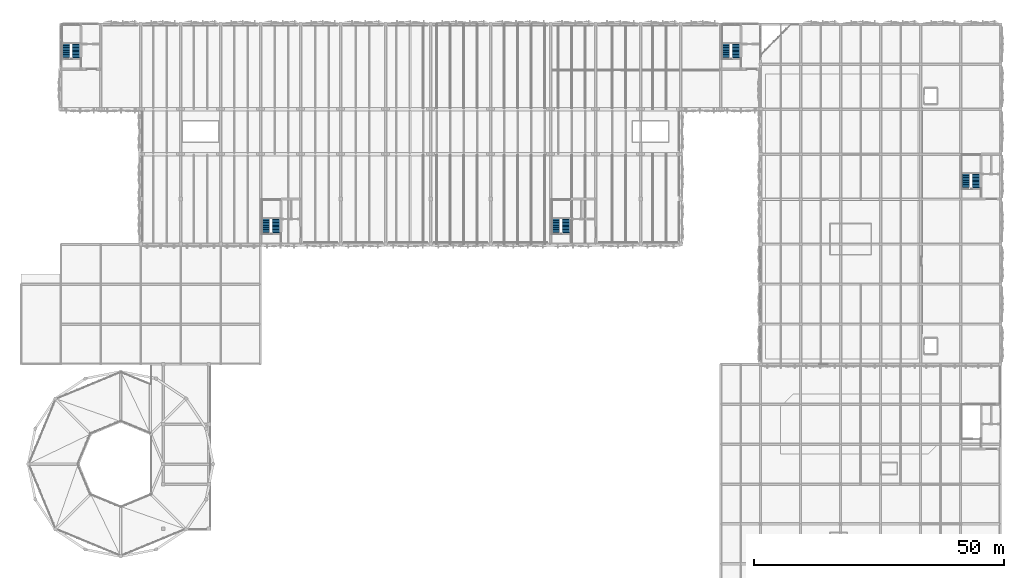
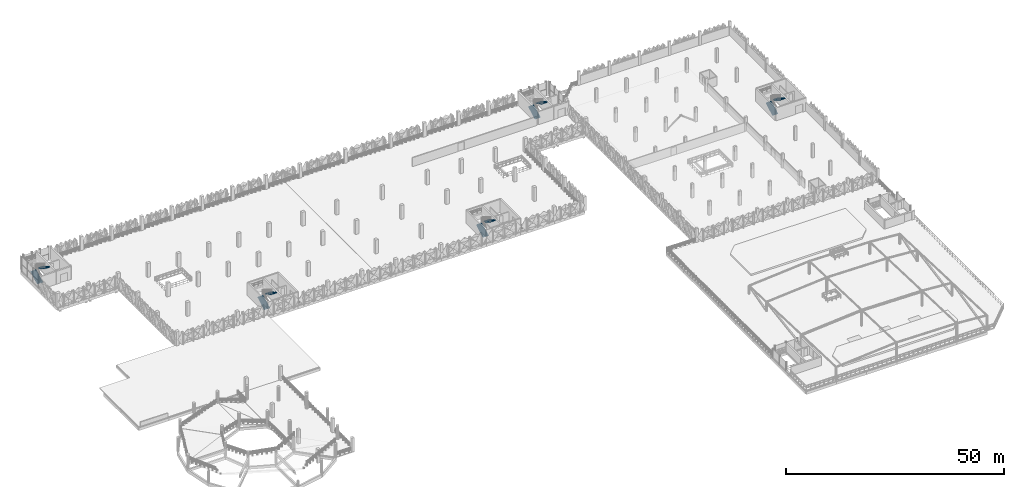
# One storey, part 46 of 76: 10 stair flights, 5 elements without a shape of their own.
"""IFC4 building model written with IfcOpenShell, lengths in metres."""

from ifc_helpers import new_model, si_unit, derived_unit, direction, frame, origin, place, context, subcontext, project, spatial, polyline, outline, extrude, material, type_object, element, aggregate, save


model = new_model("IFC4")

# Units and contexts
model_context = context("Model", 3, precision=1e-05, world=origin(), true_north=direction((0.0, 1.0)))
body_context = subcontext(model_context, "Body", "Model", "MODEL_VIEW")
ifc_project = project(units=[si_unit("LENGTHUNIT", "METRE"), si_unit("AREAUNIT", "SQUARE_METRE"), si_unit("VOLUMEUNIT", "CUBIC_METRE"), si_unit("PLANEANGLEUNIT", "RADIAN"), si_unit("MASSUNIT", "GRAM", prefix="KILO"), si_unit("THERMODYNAMICTEMPERATUREUNIT", "KELVIN"), derived_unit("THERMALTRANSMITTANCEUNIT", [(si_unit("POWERUNIT", "WATT"), 1), (si_unit("AREAUNIT", "SQUARE_METRE"), -1), (si_unit("THERMODYNAMICTEMPERATUREUNIT", "KELVIN"), -1)])], contexts=[model_context])

# Site, building, storey
site_placement = place(None, origin())
site = spatial("IfcSite", under=ifc_project, at=site_placement, CompositionType="ELEMENT")
building_placement = place(site_placement, origin())
building = spatial("IfcBuilding", under=site, at=building_placement, Name="Haiyu Intermodal Mobility Hub", CompositionType="ELEMENT")
storey_placement = place(building_placement, frame((0.0, 0.0, 17.300048828125)))
storey = spatial("IfcBuildingStorey", under=building, at=storey_placement, Name="L04", CompositionType="ELEMENT", Elevation=17.300048828125)

# Stair, stair flights
ifc_material = material(Name="Concrete C40", Category="concrete")
stair_type_1 = type_object("IfcStairType", Name="STR-ST02", PredefinedType="HALF_TURN_STAIR", material=ifc_material)
stair_1_placement = place(storey_placement, origin())
stair_1 = element("IfcStair", 1, at=stair_1_placement, inside=storey, type_object=stair_type_1, Name="Exit Stair ST01 L04", PredefinedType="HALF_TURN_STAIR")
stair_flight_type_1 = type_object("IfcStairFlightType", Name="SFL-ST02", PredefinedType="STRAIGHT", material=ifc_material)
stair_flight_1_placement = place(storey_placement, frame((63.090087890625, 106.050048828125, 0.0), z_axis=(0.0, 0.0, 1.0), x_axis=(0.0, 1.0, 0.0)))
stair_flight_1 = element("IfcStairFlight", 2, at=stair_flight_1_placement, type_object=stair_flight_type_1, Name="Stair Flight STR-C5-L04-F1", NumberOfRisers=12, NumberOfTreads=11, PredefinedType="STRAIGHT", RiserHeight=0.1625, TreadLength=0.28, context=body_context, shape_type="SweptSolid", body=[
    extrude(outline(polyline([(0.0, 0.0), (0.0, 0.16259765625), (0.280029296875, 0.16259765625), (0.280029296875, 0.324951171875), (0.56005859375, 0.324951171875), (0.56005859375, 0.487548828125), (0.840087890625, 0.487548828125), (0.840087890625, 0.64990234375), (1.1201171875, 0.64990234375), (1.1201171875, 0.8125), (1.39990234375, 0.8125), (1.39990234375, 0.97509765625), (1.679931640625, 0.97509765625), (1.679931640625, 1.137451171875), (1.9599609375, 1.137451171875), (1.9599609375, 1.300048828125), (2.239990234375, 1.300048828125), (2.239990234375, 1.46240234375), (2.52001953125, 1.46240234375), (2.52001953125, 1.625), (2.800048828125, 1.625), (2.800048828125, 1.78759765625), (3.080078125, 1.78759765625), (3.080078125, 1.949951171875), (3.080078125, 1.579345703125), (0.3583984375, 0.0), (0.0, 0.0)])), frame((0.0, 0.72998046875, 0.0), z_axis=(0.0, -1.0, 0.0), x_axis=(1.0, 0.0, 0.0)), (0.0, 0.0, 1.0), 1.4599609375),
])
stair_flight_2_placement = place(storey_placement, frame((65.0, 109.159912109375, 1.949951171875), z_axis=(0.0, 0.0, 1.0), x_axis=(0.0, -1.0, 0.0)))
stair_flight_2 = element("IfcStairFlight", 3, at=stair_flight_2_placement, type_object=stair_flight_type_1, Name="Stair Flight STR-C5-L04-F2", NumberOfRisers=12, NumberOfTreads=11, PredefinedType="STRAIGHT", RiserHeight=0.1625, TreadLength=0.28091, context=body_context, shape_type="SweptSolid", body=[
    extrude(outline(polyline([(0.0, 0.0), (0.0, 0.16259765625), (0.281005859375, 0.16259765625), (0.281005859375, 0.324951171875), (0.561767578125, 0.324951171875), (0.561767578125, 0.487548828125), (0.8427734375, 0.487548828125), (0.8427734375, 0.64990234375), (1.12353515625, 0.64990234375), (1.12353515625, 0.8125), (1.404541015625, 0.8125), (1.404541015625, 0.97509765625), (1.685546875, 0.97509765625), (1.685546875, 1.137451171875), (1.96630859375, 1.137451171875), (1.96630859375, 1.300048828125), (2.247314453125, 1.300048828125), (2.247314453125, 1.46240234375), (2.528076171875, 1.46240234375), (2.528076171875, 1.625), (2.80908203125, 1.625), (2.80908203125, 1.78759765625), (3.090087890625, 1.78759765625), (3.090087890625, 1.949951171875), (3.090087890625, 1.57958984375), (0.359375, 0.0), (0.0, 0.0)])), frame((0.0, 0.72998046875, 0.0), z_axis=(0.0, -1.0, 0.0), x_axis=(1.0, 0.0, 0.0)), (0.0, 0.0, 1.0), 1.4599609375),
])
aggregate(stair_1, [stair_flight_1, stair_flight_2])

stair_2_placement = place(storey_placement, origin())
stair_2 = element("IfcStair", 4, at=stair_2_placement, inside=storey, type_object=stair_type_1, Name="Exit Stair ST01 L04", PredefinedType="HALF_TURN_STAIR")
stair_flight_3_placement = place(storey_placement, frame((121.090087890625, 106.050048828125, 0.0), z_axis=(0.0, 0.0, 1.0), x_axis=(0.0, 1.0, 0.0)))
stair_flight_3 = element("IfcStairFlight", 5, at=stair_flight_3_placement, type_object=stair_flight_type_1, Name="Stair Flight STR-C6-L04-F1", NumberOfRisers=12, NumberOfTreads=11, PredefinedType="STRAIGHT", RiserHeight=0.1625, TreadLength=0.28, context=body_context, shape_type="SweptSolid", body=[
    extrude(outline(polyline([(0.0, 0.0), (0.0, 0.16259765625), (0.280029296875, 0.16259765625), (0.280029296875, 0.324951171875), (0.56005859375, 0.324951171875), (0.56005859375, 0.487548828125), (0.840087890625, 0.487548828125), (0.840087890625, 0.64990234375), (1.1201171875, 0.64990234375), (1.1201171875, 0.8125), (1.39990234375, 0.8125), (1.39990234375, 0.97509765625), (1.679931640625, 0.97509765625), (1.679931640625, 1.137451171875), (1.9599609375, 1.137451171875), (1.9599609375, 1.300048828125), (2.239990234375, 1.300048828125), (2.239990234375, 1.46240234375), (2.52001953125, 1.46240234375), (2.52001953125, 1.625), (2.800048828125, 1.625), (2.800048828125, 1.78759765625), (3.080078125, 1.78759765625), (3.080078125, 1.949951171875), (3.080078125, 1.579345703125), (0.3583984375, 0.0), (0.0, 0.0)])), frame((0.0, 0.72998046875, 0.0), z_axis=(0.0, -1.0, 0.0), x_axis=(1.0, 0.0, 0.0)), (0.0, 0.0, 1.0), 1.4599609375),
])
stair_flight_4_placement = place(storey_placement, frame((123.0, 109.159912109375, 1.949951171875), z_axis=(0.0, 0.0, 1.0), x_axis=(0.0, -1.0, 0.0)))
stair_flight_4 = element("IfcStairFlight", 6, at=stair_flight_4_placement, type_object=stair_flight_type_1, Name="Stair Flight STR-C6-L04-F2", NumberOfRisers=12, NumberOfTreads=11, PredefinedType="STRAIGHT", RiserHeight=0.1625, TreadLength=0.28091, context=body_context, shape_type="SweptSolid", body=[
    extrude(outline(polyline([(0.0, 0.0), (0.0, 0.16259765625), (0.281005859375, 0.16259765625), (0.281005859375, 0.324951171875), (0.561767578125, 0.324951171875), (0.561767578125, 0.487548828125), (0.8427734375, 0.487548828125), (0.8427734375, 0.64990234375), (1.12353515625, 0.64990234375), (1.12353515625, 0.8125), (1.404541015625, 0.8125), (1.404541015625, 0.97509765625), (1.685546875, 0.97509765625), (1.685546875, 1.137451171875), (1.96630859375, 1.137451171875), (1.96630859375, 1.300048828125), (2.247314453125, 1.300048828125), (2.247314453125, 1.46240234375), (2.528076171875, 1.46240234375), (2.528076171875, 1.625), (2.80908203125, 1.625), (2.80908203125, 1.78759765625), (3.090087890625, 1.78759765625), (3.090087890625, 1.949951171875), (3.090087890625, 1.57958984375), (0.359375, 0.0), (0.0, 0.0)])), frame((0.0, 0.72998046875, 0.0), z_axis=(0.0, -1.0, 0.0), x_axis=(1.0, 0.0, 0.0)), (0.0, 0.0, 1.0), 1.4599609375),
])
aggregate(stair_2, [stair_flight_3, stair_flight_4])

stair_3_placement = place(storey_placement, origin())
stair_3 = element("IfcStair", 7, at=stair_3_placement, inside=storey, type_object=stair_type_1, Name="Exit Stair ST03 L04", PredefinedType="HALF_TURN_STAIR")
stair_flight_5_placement = place(storey_placement, frame((203.090087890625, 115.050048828125, 0.0), z_axis=(0.0, 0.0, 1.0), x_axis=(0.0, 1.0, 0.0)))
stair_flight_5 = element("IfcStairFlight", 8, at=stair_flight_5_placement, type_object=stair_flight_type_1, Name="Stair Flight STR-C10-L04-F1", NumberOfRisers=12, NumberOfTreads=11, PredefinedType="STRAIGHT", RiserHeight=0.1625, TreadLength=0.28, context=body_context, shape_type="SweptSolid", body=[
    extrude(outline(polyline([(0.0, 0.0), (0.0, 0.16259765625), (0.280029296875, 0.16259765625), (0.280029296875, 0.324951171875), (0.56005859375, 0.324951171875), (0.56005859375, 0.487548828125), (0.840087890625, 0.487548828125), (0.840087890625, 0.64990234375), (1.1201171875, 0.64990234375), (1.1201171875, 0.8125), (1.39990234375, 0.8125), (1.39990234375, 0.97509765625), (1.679931640625, 0.97509765625), (1.679931640625, 1.137451171875), (1.9599609375, 1.137451171875), (1.9599609375, 1.300048828125), (2.239990234375, 1.300048828125), (2.239990234375, 1.46240234375), (2.52001953125, 1.46240234375), (2.52001953125, 1.625), (2.800048828125, 1.625), (2.800048828125, 1.78759765625), (3.080078125, 1.78759765625), (3.080078125, 1.949951171875), (3.080078125, 1.579345703125), (0.3583984375, 0.0), (0.0, 0.0)])), frame((0.0, 0.72998046875, 0.0), z_axis=(0.0, -1.0, 0.0), x_axis=(1.0, 0.0, 0.0)), (0.0, 0.0, 1.0), 1.4599609375),
])
stair_flight_6_placement = place(storey_placement, frame((205.0, 118.159912109375, 1.949951171875), z_axis=(0.0, 0.0, 1.0), x_axis=(0.0, -1.0, 0.0)))
stair_flight_6 = element("IfcStairFlight", 9, at=stair_flight_6_placement, type_object=stair_flight_type_1, Name="Stair Flight STR-C10-L04-F2", NumberOfRisers=12, NumberOfTreads=11, PredefinedType="STRAIGHT", RiserHeight=0.1625, TreadLength=0.28091, context=body_context, shape_type="SweptSolid", body=[
    extrude(outline(polyline([(0.0, 0.0), (0.0, 0.16259765625), (0.281005859375, 0.16259765625), (0.281005859375, 0.324951171875), (0.561767578125, 0.324951171875), (0.561767578125, 0.487548828125), (0.8427734375, 0.487548828125), (0.8427734375, 0.64990234375), (1.12353515625, 0.64990234375), (1.12353515625, 0.8125), (1.404541015625, 0.8125), (1.404541015625, 0.97509765625), (1.685546875, 0.97509765625), (1.685546875, 1.137451171875), (1.96630859375, 1.137451171875), (1.96630859375, 1.300048828125), (2.247314453125, 1.300048828125), (2.247314453125, 1.46240234375), (2.528076171875, 1.46240234375), (2.528076171875, 1.625), (2.80908203125, 1.625), (2.80908203125, 1.78759765625), (3.090087890625, 1.78759765625), (3.090087890625, 1.949951171875), (3.090087890625, 1.57958984375), (0.359375, 0.0), (0.0, 0.0)])), frame((0.0, 0.72998046875, 0.0), z_axis=(0.0, -1.0, 0.0), x_axis=(1.0, 0.0, 0.0)), (0.0, 0.0, 1.0), 1.4599609375),
])
aggregate(stair_3, [stair_flight_5, stair_flight_6])

stair_type_2 = type_object("IfcStairType", Name="STR-ST03", PredefinedType="HALF_TURN_STAIR", material=ifc_material)
stair_4_placement = place(storey_placement, origin())
stair_4 = element("IfcStair", 10, at=stair_4_placement, inside=storey, type_object=stair_type_2, Name="Exit Stair ST02 L04", PredefinedType="HALF_TURN_STAIR")
stair_flight_type_2 = type_object("IfcStairFlightType", Name="SFL-ST03", PredefinedType="STRAIGHT", material=ifc_material)
stair_flight_7_placement = place(storey_placement, frame((23.090087890625, 141.050048828125, 0.0), z_axis=(0.0, 0.0, 1.0), x_axis=(0.0, 1.0, 0.0)))
stair_flight_7 = element("IfcStairFlight", 11, at=stair_flight_7_placement, type_object=stair_flight_type_2, Name="Stair Flight STR-C3-L04-F1", NumberOfRisers=12, NumberOfTreads=11, PredefinedType="STRAIGHT", RiserHeight=0.1625, TreadLength=0.28, context=body_context, shape_type="SweptSolid", body=[
    extrude(outline(polyline([(0.0, 0.0), (0.0, 0.16259765625), (0.280029296875, 0.16259765625), (0.280029296875, 0.324951171875), (0.56005859375, 0.324951171875), (0.56005859375, 0.487548828125), (0.840087890625, 0.487548828125), (0.840087890625, 0.64990234375), (1.1201171875, 0.64990234375), (1.1201171875, 0.8125), (1.39990234375, 0.8125), (1.39990234375, 0.97509765625), (1.679931640625, 0.97509765625), (1.679931640625, 1.137451171875), (1.9599609375, 1.137451171875), (1.9599609375, 1.300048828125), (2.239990234375, 1.300048828125), (2.239990234375, 1.46240234375), (2.52001953125, 1.46240234375), (2.52001953125, 1.625), (2.800048828125, 1.625), (2.800048828125, 1.78759765625), (3.080078125, 1.78759765625), (3.080078125, 1.949951171875), (3.080078125, 1.579345703125), (0.3583984375, 0.0), (0.0, 0.0)])), frame((0.0, 0.72998046875, 0.0), z_axis=(0.0, -1.0, 0.0), x_axis=(1.0, 0.0, 0.0)), (0.0, 0.0, 1.0), 1.4599609375),
])
stair_flight_8_placement = place(storey_placement, frame((25.0, 144.159912109375, 1.949951171875), z_axis=(0.0, 0.0, 1.0), x_axis=(0.0, -1.0, 0.0)))
stair_flight_8 = element("IfcStairFlight", 12, at=stair_flight_8_placement, type_object=stair_flight_type_2, Name="Stair Flight STR-C3-L04-F2", NumberOfRisers=12, NumberOfTreads=11, PredefinedType="STRAIGHT", RiserHeight=0.1625, TreadLength=0.28091, context=body_context, shape_type="SweptSolid", body=[
    extrude(outline(polyline([(0.0, 0.0), (0.0, 0.16259765625), (0.281005859375, 0.16259765625), (0.281005859375, 0.324951171875), (0.561767578125, 0.324951171875), (0.561767578125, 0.487548828125), (0.8427734375, 0.487548828125), (0.8427734375, 0.64990234375), (1.12353515625, 0.64990234375), (1.12353515625, 0.8125), (1.404541015625, 0.8125), (1.404541015625, 0.97509765625), (1.685546875, 0.97509765625), (1.685546875, 1.137451171875), (1.96630859375, 1.137451171875), (1.96630859375, 1.300048828125), (2.247314453125, 1.300048828125), (2.247314453125, 1.46240234375), (2.528076171875, 1.46240234375), (2.528076171875, 1.625), (2.80908203125, 1.625), (2.80908203125, 1.78759765625), (3.090087890625, 1.78759765625), (3.090087890625, 1.949951171875), (3.090087890625, 1.57958984375), (0.359375, 0.0), (0.0, 0.0)])), frame((0.0, 0.72998046875, 0.0), z_axis=(0.0, -1.0, 0.0), x_axis=(1.0, 0.0, 0.0)), (0.0, 0.0, 1.0), 1.4599609375),
])
aggregate(stair_4, [stair_flight_7, stair_flight_8])

stair_5_placement = place(storey_placement, origin())
stair_5 = element("IfcStair", 13, at=stair_5_placement, inside=storey, type_object=stair_type_2, Name="Exit Stair ST02 L04", PredefinedType="HALF_TURN_STAIR")
stair_flight_9_placement = place(storey_placement, frame((155.090087890625, 141.050048828125, 0.0), z_axis=(0.0, 0.0, 1.0), x_axis=(0.0, 1.0, 0.0)))
stair_flight_9 = element("IfcStairFlight", 14, at=stair_flight_9_placement, type_object=stair_flight_type_2, Name="Stair Flight STR-C4-L04-F1", NumberOfRisers=12, NumberOfTreads=11, PredefinedType="STRAIGHT", RiserHeight=0.1625, TreadLength=0.28, context=body_context, shape_type="SweptSolid", body=[
    extrude(outline(polyline([(0.0, 0.0), (0.0, 0.16259765625), (0.280029296875, 0.16259765625), (0.280029296875, 0.324951171875), (0.56005859375, 0.324951171875), (0.56005859375, 0.487548828125), (0.840087890625, 0.487548828125), (0.840087890625, 0.64990234375), (1.1201171875, 0.64990234375), (1.1201171875, 0.8125), (1.39990234375, 0.8125), (1.39990234375, 0.97509765625), (1.679931640625, 0.97509765625), (1.679931640625, 1.137451171875), (1.9599609375, 1.137451171875), (1.9599609375, 1.300048828125), (2.239990234375, 1.300048828125), (2.239990234375, 1.46240234375), (2.52001953125, 1.46240234375), (2.52001953125, 1.625), (2.800048828125, 1.625), (2.800048828125, 1.78759765625), (3.080078125, 1.78759765625), (3.080078125, 1.949951171875), (3.080078125, 1.579345703125), (0.3583984375, 0.0), (0.0, 0.0)])), frame((0.0, 0.72998046875, 0.0), z_axis=(0.0, -1.0, 0.0), x_axis=(1.0, 0.0, 0.0)), (0.0, 0.0, 1.0), 1.4599609375),
])
stair_flight_10_placement = place(storey_placement, frame((157.0, 144.159912109375, 1.949951171875), z_axis=(0.0, 0.0, 1.0), x_axis=(0.0, -1.0, 0.0)))
stair_flight_10 = element("IfcStairFlight", 15, at=stair_flight_10_placement, type_object=stair_flight_type_2, Name="Stair Flight STR-C4-L04-F2", NumberOfRisers=12, NumberOfTreads=11, PredefinedType="STRAIGHT", RiserHeight=0.1625, TreadLength=0.28091, context=body_context, shape_type="SweptSolid", body=[
    extrude(outline(polyline([(0.0, 0.0), (0.0, 0.16259765625), (0.281005859375, 0.16259765625), (0.281005859375, 0.324951171875), (0.561767578125, 0.324951171875), (0.561767578125, 0.487548828125), (0.8427734375, 0.487548828125), (0.8427734375, 0.64990234375), (1.12353515625, 0.64990234375), (1.12353515625, 0.8125), (1.404541015625, 0.8125), (1.404541015625, 0.97509765625), (1.685546875, 0.97509765625), (1.685546875, 1.137451171875), (1.96630859375, 1.137451171875), (1.96630859375, 1.300048828125), (2.247314453125, 1.300048828125), (2.247314453125, 1.46240234375), (2.528076171875, 1.46240234375), (2.528076171875, 1.625), (2.80908203125, 1.625), (2.80908203125, 1.78759765625), (3.090087890625, 1.78759765625), (3.090087890625, 1.949951171875), (3.090087890625, 1.57958984375), (0.359375, 0.0), (0.0, 0.0)])), frame((0.0, 0.72998046875, 0.0), z_axis=(0.0, -1.0, 0.0), x_axis=(1.0, 0.0, 0.0)), (0.0, 0.0, 1.0), 1.4599609375),
])
aggregate(stair_5, [stair_flight_9, stair_flight_10])

save(model, "model.ifc")
